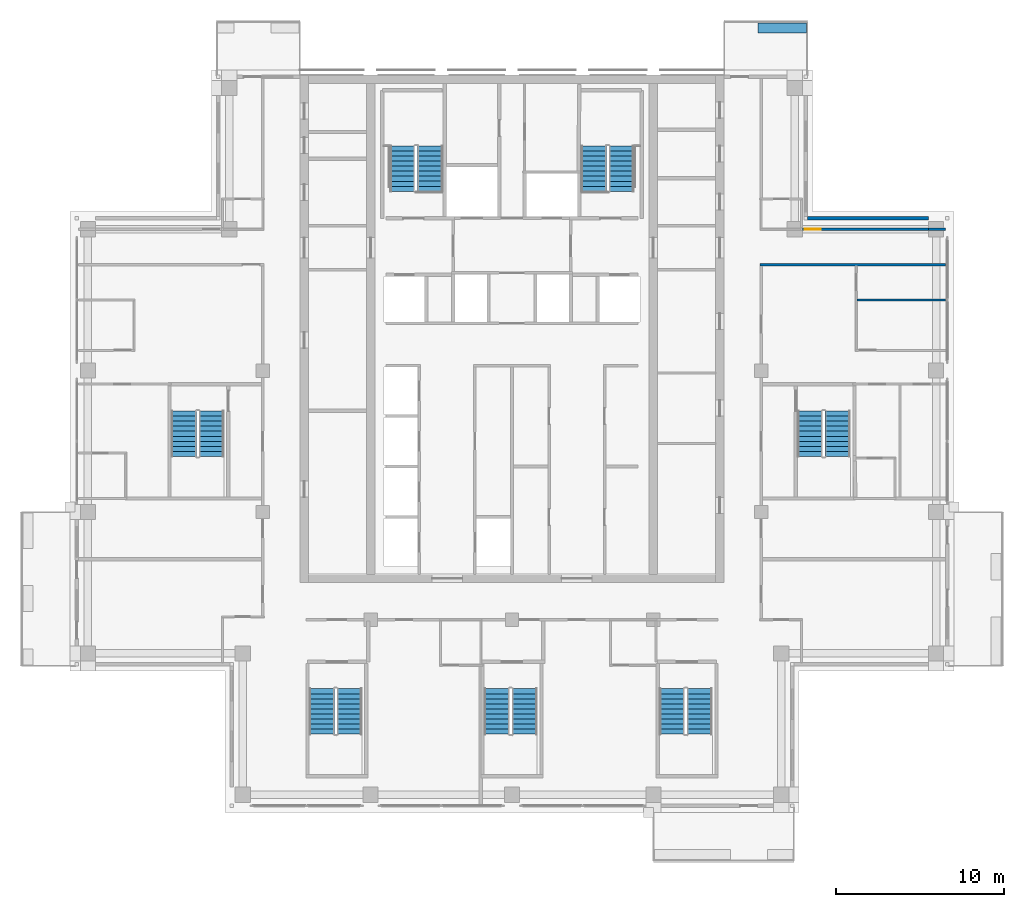
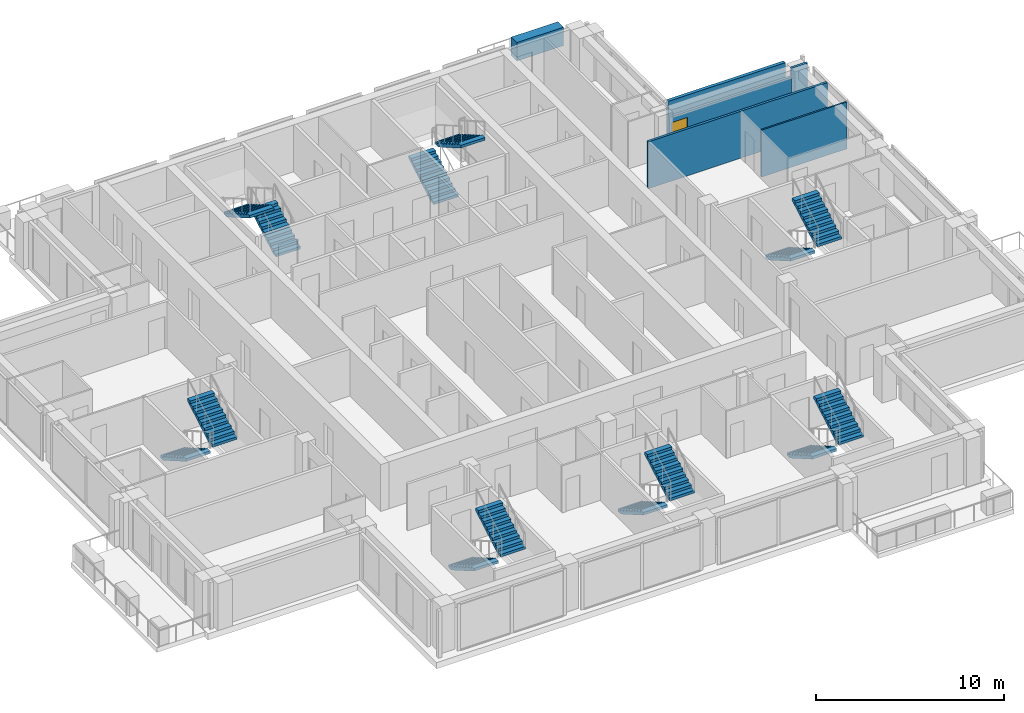
# One storey, part 15 of 18: 14 stair flights, 6 walls, 1 door, 1 opening, 7 elements without a shape of their own.
"""IFC4 building model written with IfcOpenShell, lengths in metres."""

from ifc_helpers import new_model, si_unit, direction, frame, frame_2d, origin, place, context, subcontext, project, spatial, polyline, rectangle, outline, extrude, material, layer, layer_set, type_object, element, fill, aggregate, save


model = new_model("IFC4")

# Units and contexts
model_context = context("Model", 3, precision=1e-05, world=origin(), true_north=direction((0.0, 1.0)))
body_context = subcontext(model_context, "Body", "Model", "MODEL_VIEW")
ifc_project = project(units=[si_unit("LENGTHUNIT", "METRE"), si_unit("AREAUNIT", "SQUARE_METRE"), si_unit("VOLUMEUNIT", "CUBIC_METRE"), si_unit("PLANEANGLEUNIT", "RADIAN"), si_unit("MASSUNIT", "GRAM", prefix="KILO")], contexts=[model_context])

# Site, building, storey
site_placement = place(None, origin())
site = spatial("IfcSite", under=ifc_project, at=site_placement, CompositionType="ELEMENT")
building_placement = place(site_placement, origin())
building = spatial("IfcBuilding", under=site, at=building_placement, Name="Vermilion Ogive Tower", CompositionType="ELEMENT")
storey_placement = place(building_placement, frame((0.0, 0.0, 230.35009765625)))
storey = spatial("IfcBuildingStorey", under=building, at=storey_placement, Name="L60", CompositionType="ELEMENT", Elevation=230.35009765625)

# Walls
ifc_material_1 = material(Name="Gypsum board partition on steel studs", Category="steel")
ifc_layer_1 = layer(ifc_material_1, 0.10009765625)
ifc_layer_set_1 = layer_set([ifc_layer_1], Name="Partition 100 inner")
wall_type_1 = type_object("IfcWallType", Name="Partition 100 inner", PredefinedType="PARTITIONING", material=ifc_layer_set_1)
wall_1_placement = place(storey_placement, frame((20.5, 8.39990234375, 0.0), z_axis=(0.0, 0.0, 1.0), x_axis=(1.0, 0.0, 0.0)))
element("IfcWall", 1, at=wall_1_placement, inside=storey, type_object=wall_type_1, Name="L60-W-W030", PredefinedType="PARTITIONING", context=body_context, shape_type="SweptSolid", body=[
    extrude(rectangle(XDim=5.25, YDim=0.10009765625, at=frame_2d((2.625, 0.0))), origin(), (0.0, 0.0, 1.0), 3.0498046875),
])
ifc_material_2 = material(Name="Gypsum board partition on steel studs", Category="steel")
ifc_layer_2 = layer(ifc_material_2, 0.14990234375)
ifc_layer_set_2 = layer_set([ifc_layer_2], Name="Partition 150 corridor")
wall_type_2 = type_object("IfcWallType", Name="Partition 150 corridor", PredefinedType="PARTITIONING", material=ifc_layer_set_2)
wall_2_placement = place(storey_placement, frame((14.72509765625, 10.5, 0.0), z_axis=(0.0, 0.0, 1.0), x_axis=(1.0, 0.0, 0.0)))
element("IfcWall", 2, at=wall_2_placement, inside=storey, type_object=wall_type_2, Name="L60-W-W032", PredefinedType="PARTITIONING", context=body_context, shape_type="SweptSolid", body=[
    extrude(rectangle(XDim=11.02490234375, YDim=0.14990234375, at=frame_2d((5.512451171875, 0.0))), origin(), (0.0, 0.0, 1.0), 3.0498046875),
])

# Wall, opening, door
wall_3_placement = place(storey_placement, frame((17.25, 12.60009765625, 0.0), z_axis=(0.0, 0.0, 1.0), x_axis=(1.0, 0.0, 0.0)))
wall_3 = element("IfcWall", 3, at=wall_3_placement, inside=storey, type_object=wall_type_2, Name="L60-W-W036-h1", PredefinedType="PARTITIONING", context=body_context, shape_type="SweptSolid", body=[
    extrude(rectangle(XDim=7.5, YDim=0.14990234375, at=frame_2d((3.75, 0.0))), origin(), (0.0, 0.0, 1.0), 2.5),
])
opening_placement = place(wall_3_placement, frame((0.14990234375, 0.0, 0.0)))
opening = element("IfcOpeningElement", 4, at=opening_placement, cuts=wall_3, Name="Opening D5G1021", PredefinedType="OPENING", context=body_context, shape_type="SweptSolid", body=[
    extrude(rectangle(XDim=0.949951171875, YDim=2.10009765625, at=frame_2d((0.47509765625, 1.050048828125))), frame((0.0, 0.0849609375, 0.0), z_axis=(0.0, -1.0, 0.0), x_axis=(1.0, 0.0, 0.0)), (0.0, 0.0, 1.0), 0.169921875),
])
ifc_material_3 = material(Name="Timber door leaf", Category="wood")
door_type = type_object("IfcDoorType", Name="Unit door 950 x 2100 FD30S", OperationType="SINGLE_SWING_LEFT", PredefinedType="DOOR", material=ifc_material_3)
door_placement = place(opening_placement, origin())
door = element("IfcDoor", 5, at=door_placement, inside=storey, type_object=door_type, Name="L60-D-D021", OperationType="SINGLE_SWING_LEFT", OverallHeight=2.10009765625, OverallWidth=0.949951171875, PredefinedType="DOOR", context=body_context, shape_type="SweptSolid", body=[
    extrude(rectangle(XDim=0.949951171875, YDim=2.10009765625, at=frame_2d((0.47509765625, 1.050048828125))), frame((0.0, 0.02490234375, 0.0), z_axis=(0.0, -1.0, 0.0), x_axis=(1.0, 0.0, 0.0)), (0.0, 0.0, 1.0), 0.050048828125),
])
fill(opening, door)

# Walls
wall_4_placement = place(storey_placement, frame((24.75, 12.60009765625, 0.0), z_axis=(0.0, 0.0, 1.0), x_axis=(1.0, 0.0, 0.0)))
element("IfcWall", 6, at=wall_4_placement, inside=storey, type_object=wall_type_2, Name="L60-W-W036-h2", PredefinedType="PARTITIONING", context=body_context, shape_type="SweptSolid", body=[
    extrude(rectangle(XDim=1.0, YDim=0.14990234375, at=frame_2d((0.5, 0.0))), origin(), (0.0, 0.0, 1.0), 3.0498046875),
])
ifc_material_4 = material(Name="Concrete B40", Category="concrete")
ifc_layer_3 = layer(ifc_material_4, 0.60009765625)
ifc_layer_set_3 = layer_set([ifc_layer_3], Name="Structural planter")
wall_type_3 = type_object("IfcWallType", Name="Structural planter", PredefinedType="USERDEFINED", material=ifc_layer_set_3)
wall_5_placement = place(storey_placement, frame((17.489990234375, 24.550048828125, -0.0400390625), z_axis=(0.0, 0.0, 1.0), x_axis=(-1.0, 0.0, 0.0)))
element("IfcWall", 7, at=wall_5_placement, inside=storey, type_object=wall_type_3, Name="Planter N101A1", ObjectType="PLANTER", PredefinedType="USERDEFINED", context=body_context, shape_type="SweptSolid", body=[
    extrude(rectangle(XDim=2.864990234375, YDim=0.60009765625, at=frame_2d((1.4326171875, 0.0))), origin(), (0.0, 0.0, 1.0), 1.199951171875),
])
ifc_material_5 = material(Name="Aluminium window wall framing", Category="aluminium")
ifc_layer_4 = layer(ifc_material_5, 0.199951171875)
ifc_layer_set_4 = layer_set([ifc_layer_4], Name="Window wall")
wall_type_4 = type_object("IfcWallType", Name="Window wall", PredefinedType="STANDARD", material=ifc_layer_set_4)
wall_6_placement = place(storey_placement, frame((24.75, 13.25, 0.0), z_axis=(0.0, 0.0, 1.0), x_axis=(-1.0, 0.0, 0.0)))
element("IfcWall", 8, at=wall_6_placement, inside=storey, type_object=wall_type_4, Name="Window wall X31", PredefinedType="STANDARD", context=body_context, shape_type="SweptSolid", body=[
    extrude(rectangle(XDim=7.199951171875, YDim=0.199951171875, at=frame_2d((3.60009765625, 0.0))), origin(), (0.0, 0.0, 1.0), 3.0498046875),
])

# Stair, stair flights
ifc_material_6 = material(Name="Concrete B40", Category="concrete")
stair_type = type_object("IfcStairType", Name="Exit stair 1500", PredefinedType="HALF_TURN_STAIR", material=ifc_material_6)
stair_1_placement = place(storey_placement, origin())
stair_1 = element("IfcStair", 9, at=stair_1_placement, inside=storey, type_object=stair_type, Name="L60 Exit Stair ST1", PredefinedType="HALF_TURN_STAIR")
ifc_material_7 = material(Name="Concrete B40", Category="concrete")
stair_flight_type = type_object("IfcStairFlightType", Name="Stair flight 1500", PredefinedType="STRAIGHT", material=ifc_material_7)
stair_flight_1_placement = place(storey_placement, frame((-4.85009765625, 14.85009765625, 0.0), z_axis=(0.0, 0.0, 1.0), x_axis=(0.0, 1.0, 0.0)))
stair_flight_1 = element("IfcStairFlight", 10, at=stair_flight_1_placement, type_object=stair_flight_type, Name="ST1 flight 1", NumberOfRisers=10, NumberOfTreads=9, PredefinedType="STRAIGHT", RiserHeight=0.1725, TreadLength=0.3, context=body_context, shape_type="SweptSolid", body=[
    extrude(outline(polyline([(0.0, 0.0), (0.0, 0.172607421875), (0.300048828125, 0.172607421875), (0.300048828125, 0.344970703125), (0.60009765625, 0.344970703125), (0.60009765625, 0.517578125), (0.89990234375, 0.517578125), (0.89990234375, 0.68994140625), (1.199951171875, 0.68994140625), (1.199951171875, 0.862548828125), (1.5, 0.862548828125), (1.5, 1.034912109375), (1.800048828125, 1.034912109375), (1.800048828125, 1.20751953125), (2.10009765625, 1.20751953125), (2.10009765625, 1.3798828125), (2.39990234375, 1.3798828125), (2.39990234375, 1.552490234375), (2.699951171875, 1.552490234375), (2.699951171875, 1.72509765625), (2.699951171875, 1.379638671875), (0.30078125, 0.0), (0.0, 0.0)])), frame((0.0, 0.75, 0.0), z_axis=(0.0, -1.0, 0.0), x_axis=(1.0, 0.0, 0.0)), (0.0, 0.0, 1.0), 1.5),
])
stair_flight_2_placement = place(storey_placement, frame((-6.5, 17.550048828125, 1.724853515625), z_axis=(0.0, 0.0, 1.0), x_axis=(0.0, -1.0, 0.0)))
stair_flight_2 = element("IfcStairFlight", 11, at=stair_flight_2_placement, type_object=stair_flight_type, Name="ST1 flight 2", NumberOfRisers=10, NumberOfTreads=9, PredefinedType="STRAIGHT", RiserHeight=0.1725, TreadLength=0.3, context=body_context, shape_type="SweptSolid", body=[
    extrude(outline(polyline([(0.0, 0.0), (0.0, 0.172607421875), (0.300048828125, 0.172607421875), (0.300048828125, 0.344970703125), (0.60009765625, 0.344970703125), (0.60009765625, 0.517578125), (0.89990234375, 0.517578125), (0.89990234375, 0.68994140625), (1.199951171875, 0.68994140625), (1.199951171875, 0.862548828125), (1.5, 0.862548828125), (1.5, 1.034912109375), (1.800048828125, 1.034912109375), (1.800048828125, 1.20751953125), (2.10009765625, 1.20751953125), (2.10009765625, 1.3798828125), (2.39990234375, 1.3798828125), (2.39990234375, 1.552490234375), (2.699951171875, 1.552490234375), (2.699951171875, 1.72509765625), (2.699951171875, 1.379638671875), (0.30078125, 0.0), (0.0, 0.0)])), frame((0.0, 0.75, 0.0), z_axis=(0.0, -1.0, 0.0), x_axis=(1.0, 0.0, 0.0)), (0.0, 0.0, 1.0), 1.5),
])
aggregate(stair_1, [stair_flight_1, stair_flight_2])

stair_2_placement = place(storey_placement, origin())
stair_2 = element("IfcStair", 12, at=stair_2_placement, inside=storey, type_object=stair_type, Name="L60 Exit Stair ST2", PredefinedType="HALF_TURN_STAIR")
stair_flight_3_placement = place(storey_placement, frame((4.85009765625, 14.85009765625, 0.0), z_axis=(0.0, 0.0, 1.0), x_axis=(0.0, 1.0, 0.0)))
stair_flight_3 = element("IfcStairFlight", 13, at=stair_flight_3_placement, type_object=stair_flight_type, Name="ST2 flight 1", NumberOfRisers=10, NumberOfTreads=9, PredefinedType="STRAIGHT", RiserHeight=0.1725, TreadLength=0.3, context=body_context, shape_type="SweptSolid", body=[
    extrude(outline(polyline([(0.0, 0.0), (0.0, 0.172607421875), (0.300048828125, 0.172607421875), (0.300048828125, 0.344970703125), (0.60009765625, 0.344970703125), (0.60009765625, 0.517578125), (0.89990234375, 0.517578125), (0.89990234375, 0.68994140625), (1.199951171875, 0.68994140625), (1.199951171875, 0.862548828125), (1.5, 0.862548828125), (1.5, 1.034912109375), (1.800048828125, 1.034912109375), (1.800048828125, 1.20751953125), (2.10009765625, 1.20751953125), (2.10009765625, 1.3798828125), (2.39990234375, 1.3798828125), (2.39990234375, 1.552490234375), (2.699951171875, 1.552490234375), (2.699951171875, 1.72509765625), (2.699951171875, 1.379638671875), (0.30078125, 0.0), (0.0, 0.0)])), frame((0.0, 0.75, 0.0), z_axis=(0.0, -1.0, 0.0), x_axis=(1.0, 0.0, 0.0)), (0.0, 0.0, 1.0), 1.5),
])
stair_flight_4_placement = place(storey_placement, frame((6.5, 17.550048828125, 1.724853515625), z_axis=(0.0, 0.0, 1.0), x_axis=(0.0, -1.0, 0.0)))
stair_flight_4 = element("IfcStairFlight", 14, at=stair_flight_4_placement, type_object=stair_flight_type, Name="ST2 flight 2", NumberOfRisers=10, NumberOfTreads=9, PredefinedType="STRAIGHT", RiserHeight=0.1725, TreadLength=0.3, context=body_context, shape_type="SweptSolid", body=[
    extrude(outline(polyline([(0.0, 0.0), (0.0, 0.172607421875), (0.300048828125, 0.172607421875), (0.300048828125, 0.344970703125), (0.60009765625, 0.344970703125), (0.60009765625, 0.517578125), (0.89990234375, 0.517578125), (0.89990234375, 0.68994140625), (1.199951171875, 0.68994140625), (1.199951171875, 0.862548828125), (1.5, 0.862548828125), (1.5, 1.034912109375), (1.800048828125, 1.034912109375), (1.800048828125, 1.20751953125), (2.10009765625, 1.20751953125), (2.10009765625, 1.3798828125), (2.39990234375, 1.3798828125), (2.39990234375, 1.552490234375), (2.699951171875, 1.552490234375), (2.699951171875, 1.72509765625), (2.699951171875, 1.379638671875), (0.30078125, 0.0), (0.0, 0.0)])), frame((0.0, 0.75, 0.0), z_axis=(0.0, -1.0, 0.0), x_axis=(1.0, 0.0, 0.0)), (0.0, 0.0, 1.0), 1.5),
])
aggregate(stair_2, [stair_flight_3, stair_flight_4])

stair_3_placement = place(storey_placement, origin())
stair_3 = element("IfcStair", 15, at=stair_3_placement, inside=storey, type_object=stair_type, Name="L60 Exit Stair ST3", PredefinedType="HALF_TURN_STAIR")
stair_flight_5_placement = place(storey_placement, frame((-11.300048828125, -14.699951171875, 0.0), z_axis=(0.0, 0.0, 1.0), x_axis=(0.0, -1.0, 0.0)))
stair_flight_5 = element("IfcStairFlight", 16, at=stair_flight_5_placement, type_object=stair_flight_type, Name="ST3 flight 1", NumberOfRisers=10, NumberOfTreads=9, PredefinedType="STRAIGHT", RiserHeight=0.1725, TreadLength=0.3, context=body_context, shape_type="SweptSolid", body=[
    extrude(outline(polyline([(0.0, 0.0), (0.0, 0.172607421875), (0.300048828125, 0.172607421875), (0.300048828125, 0.344970703125), (0.60009765625, 0.344970703125), (0.60009765625, 0.517578125), (0.89990234375, 0.517578125), (0.89990234375, 0.68994140625), (1.199951171875, 0.68994140625), (1.199951171875, 0.862548828125), (1.5, 0.862548828125), (1.5, 1.034912109375), (1.800048828125, 1.034912109375), (1.800048828125, 1.20751953125), (2.10009765625, 1.20751953125), (2.10009765625, 1.3798828125), (2.39990234375, 1.3798828125), (2.39990234375, 1.552490234375), (2.699951171875, 1.552490234375), (2.699951171875, 1.72509765625), (2.699951171875, 1.379638671875), (0.30078125, 0.0), (0.0, 0.0)])), frame((0.0, 0.75, 0.0), z_axis=(0.0, -1.0, 0.0), x_axis=(1.0, 0.0, 0.0)), (0.0, 0.0, 1.0), 1.5),
])
stair_flight_6_placement = place(storey_placement, frame((-9.64990234375, -17.39990234375, 1.724853515625), z_axis=(0.0, 0.0, 1.0), x_axis=(0.0, 1.0, 0.0)))
stair_flight_6 = element("IfcStairFlight", 17, at=stair_flight_6_placement, type_object=stair_flight_type, Name="ST3 flight 2", NumberOfRisers=10, NumberOfTreads=9, PredefinedType="STRAIGHT", RiserHeight=0.1725, TreadLength=0.3, context=body_context, shape_type="SweptSolid", body=[
    extrude(outline(polyline([(0.0, 0.0), (0.0, 0.172607421875), (0.300048828125, 0.172607421875), (0.300048828125, 0.344970703125), (0.60009765625, 0.344970703125), (0.60009765625, 0.517578125), (0.89990234375, 0.517578125), (0.89990234375, 0.68994140625), (1.199951171875, 0.68994140625), (1.199951171875, 0.862548828125), (1.5, 0.862548828125), (1.5, 1.034912109375), (1.800048828125, 1.034912109375), (1.800048828125, 1.20751953125), (2.10009765625, 1.20751953125), (2.10009765625, 1.3798828125), (2.39990234375, 1.3798828125), (2.39990234375, 1.552490234375), (2.699951171875, 1.552490234375), (2.699951171875, 1.72509765625), (2.699951171875, 1.379638671875), (0.30078125, 0.0), (0.0, 0.0)])), frame((0.0, 0.75, 0.0), z_axis=(0.0, -1.0, 0.0), x_axis=(1.0, 0.0, 0.0)), (0.0, 0.0, 1.0), 1.5),
])
aggregate(stair_3, [stair_flight_5, stair_flight_6])

stair_4_placement = place(storey_placement, origin())
stair_4 = element("IfcStair", 18, at=stair_4_placement, inside=storey, type_object=stair_type, Name="L60 Exit Stair ST4", PredefinedType="HALF_TURN_STAIR")
stair_flight_7_placement = place(storey_placement, frame((-0.89990234375, -14.699951171875, 0.0), z_axis=(0.0, 0.0, 1.0), x_axis=(0.0, -1.0, 0.0)))
stair_flight_7 = element("IfcStairFlight", 19, at=stair_flight_7_placement, type_object=stair_flight_type, Name="ST4 flight 1", NumberOfRisers=10, NumberOfTreads=9, PredefinedType="STRAIGHT", RiserHeight=0.1725, TreadLength=0.3, context=body_context, shape_type="SweptSolid", body=[
    extrude(outline(polyline([(0.0, 0.0), (0.0, 0.172607421875), (0.300048828125, 0.172607421875), (0.300048828125, 0.344970703125), (0.60009765625, 0.344970703125), (0.60009765625, 0.517578125), (0.89990234375, 0.517578125), (0.89990234375, 0.68994140625), (1.199951171875, 0.68994140625), (1.199951171875, 0.862548828125), (1.5, 0.862548828125), (1.5, 1.034912109375), (1.800048828125, 1.034912109375), (1.800048828125, 1.20751953125), (2.10009765625, 1.20751953125), (2.10009765625, 1.3798828125), (2.39990234375, 1.3798828125), (2.39990234375, 1.552490234375), (2.699951171875, 1.552490234375), (2.699951171875, 1.72509765625), (2.699951171875, 1.379638671875), (0.30078125, 0.0), (0.0, 0.0)])), frame((0.0, 0.75, 0.0), z_axis=(0.0, -1.0, 0.0), x_axis=(1.0, 0.0, 0.0)), (0.0, 0.0, 1.0), 1.5),
])
stair_flight_8_placement = place(storey_placement, frame((0.75, -17.39990234375, 1.724853515625), z_axis=(0.0, 0.0, 1.0), x_axis=(0.0, 1.0, 0.0)))
stair_flight_8 = element("IfcStairFlight", 20, at=stair_flight_8_placement, type_object=stair_flight_type, Name="ST4 flight 2", NumberOfRisers=10, NumberOfTreads=9, PredefinedType="STRAIGHT", RiserHeight=0.1725, TreadLength=0.3, context=body_context, shape_type="SweptSolid", body=[
    extrude(outline(polyline([(0.0, 0.0), (0.0, 0.172607421875), (0.300048828125, 0.172607421875), (0.300048828125, 0.344970703125), (0.60009765625, 0.344970703125), (0.60009765625, 0.517578125), (0.89990234375, 0.517578125), (0.89990234375, 0.68994140625), (1.199951171875, 0.68994140625), (1.199951171875, 0.862548828125), (1.5, 0.862548828125), (1.5, 1.034912109375), (1.800048828125, 1.034912109375), (1.800048828125, 1.20751953125), (2.10009765625, 1.20751953125), (2.10009765625, 1.3798828125), (2.39990234375, 1.3798828125), (2.39990234375, 1.552490234375), (2.699951171875, 1.552490234375), (2.699951171875, 1.72509765625), (2.699951171875, 1.379638671875), (0.30078125, 0.0), (0.0, 0.0)])), frame((0.0, 0.75, 0.0), z_axis=(0.0, -1.0, 0.0), x_axis=(1.0, 0.0, 0.0)), (0.0, 0.0, 1.0), 1.5),
])
aggregate(stair_4, [stair_flight_7, stair_flight_8])

stair_5_placement = place(storey_placement, origin())
stair_5 = element("IfcStair", 21, at=stair_5_placement, inside=storey, type_object=stair_type, Name="L60 Exit Stair ST5", PredefinedType="HALF_TURN_STAIR")
stair_flight_9_placement = place(storey_placement, frame((9.5, -14.699951171875, 0.0), z_axis=(0.0, 0.0, 1.0), x_axis=(0.0, -1.0, 0.0)))
stair_flight_9 = element("IfcStairFlight", 22, at=stair_flight_9_placement, type_object=stair_flight_type, Name="ST5 flight 1", NumberOfRisers=10, NumberOfTreads=9, PredefinedType="STRAIGHT", RiserHeight=0.1725, TreadLength=0.3, context=body_context, shape_type="SweptSolid", body=[
    extrude(outline(polyline([(0.0, 0.0), (0.0, 0.172607421875), (0.300048828125, 0.172607421875), (0.300048828125, 0.344970703125), (0.60009765625, 0.344970703125), (0.60009765625, 0.517578125), (0.89990234375, 0.517578125), (0.89990234375, 0.68994140625), (1.199951171875, 0.68994140625), (1.199951171875, 0.862548828125), (1.5, 0.862548828125), (1.5, 1.034912109375), (1.800048828125, 1.034912109375), (1.800048828125, 1.20751953125), (2.10009765625, 1.20751953125), (2.10009765625, 1.3798828125), (2.39990234375, 1.3798828125), (2.39990234375, 1.552490234375), (2.699951171875, 1.552490234375), (2.699951171875, 1.72509765625), (2.699951171875, 1.379638671875), (0.30078125, 0.0), (0.0, 0.0)])), frame((0.0, 0.75, 0.0), z_axis=(0.0, -1.0, 0.0), x_axis=(1.0, 0.0, 0.0)), (0.0, 0.0, 1.0), 1.5),
])
stair_flight_10_placement = place(storey_placement, frame((11.14990234375, -17.39990234375, 1.724853515625), z_axis=(0.0, 0.0, 1.0), x_axis=(0.0, 1.0, 0.0)))
stair_flight_10 = element("IfcStairFlight", 23, at=stair_flight_10_placement, type_object=stair_flight_type, Name="ST5 flight 2", NumberOfRisers=10, NumberOfTreads=9, PredefinedType="STRAIGHT", RiserHeight=0.1725, TreadLength=0.3, context=body_context, shape_type="SweptSolid", body=[
    extrude(outline(polyline([(0.0, 0.0), (0.0, 0.172607421875), (0.300048828125, 0.172607421875), (0.300048828125, 0.344970703125), (0.60009765625, 0.344970703125), (0.60009765625, 0.517578125), (0.89990234375, 0.517578125), (0.89990234375, 0.68994140625), (1.199951171875, 0.68994140625), (1.199951171875, 0.862548828125), (1.5, 0.862548828125), (1.5, 1.034912109375), (1.800048828125, 1.034912109375), (1.800048828125, 1.20751953125), (2.10009765625, 1.20751953125), (2.10009765625, 1.3798828125), (2.39990234375, 1.3798828125), (2.39990234375, 1.552490234375), (2.699951171875, 1.552490234375), (2.699951171875, 1.72509765625), (2.699951171875, 1.379638671875), (0.30078125, 0.0), (0.0, 0.0)])), frame((0.0, 0.75, 0.0), z_axis=(0.0, -1.0, 0.0), x_axis=(1.0, 0.0, 0.0)), (0.0, 0.0, 1.0), 1.5),
])
aggregate(stair_5, [stair_flight_9, stair_flight_10])

stair_6_placement = place(storey_placement, origin())
stair_6 = element("IfcStair", 24, at=stair_6_placement, inside=storey, type_object=stair_type, Name="L60 Exit Stair ST8", PredefinedType="HALF_TURN_STAIR")
stair_flight_11_placement = place(storey_placement, frame((17.699951171875, 1.800048828125, 0.0), z_axis=(0.0, 0.0, 1.0), x_axis=(0.0, -1.0, 0.0)))
stair_flight_11 = element("IfcStairFlight", 25, at=stair_flight_11_placement, type_object=stair_flight_type, Name="ST8 flight 1", NumberOfRisers=10, NumberOfTreads=9, PredefinedType="STRAIGHT", RiserHeight=0.1725, TreadLength=0.3, context=body_context, shape_type="SweptSolid", body=[
    extrude(outline(polyline([(0.0, 0.0), (0.0, 0.172607421875), (0.300048828125, 0.172607421875), (0.300048828125, 0.344970703125), (0.60009765625, 0.344970703125), (0.60009765625, 0.517578125), (0.89990234375, 0.517578125), (0.89990234375, 0.68994140625), (1.199951171875, 0.68994140625), (1.199951171875, 0.862548828125), (1.5, 0.862548828125), (1.5, 1.034912109375), (1.800048828125, 1.034912109375), (1.800048828125, 1.20751953125), (2.10009765625, 1.20751953125), (2.10009765625, 1.3798828125), (2.39990234375, 1.3798828125), (2.39990234375, 1.552490234375), (2.699951171875, 1.552490234375), (2.699951171875, 1.72509765625), (2.699951171875, 1.379638671875), (0.30078125, 0.0), (0.0, 0.0)])), frame((0.0, 0.75, 0.0), z_axis=(0.0, -1.0, 0.0), x_axis=(1.0, 0.0, 0.0)), (0.0, 0.0, 1.0), 1.5),
])
stair_flight_12_placement = place(storey_placement, frame((19.35009765625, -0.89990234375, 1.724853515625), z_axis=(0.0, 0.0, 1.0), x_axis=(0.0, 1.0, 0.0)))
stair_flight_12 = element("IfcStairFlight", 26, at=stair_flight_12_placement, type_object=stair_flight_type, Name="ST8 flight 2", NumberOfRisers=10, NumberOfTreads=9, PredefinedType="STRAIGHT", RiserHeight=0.1725, TreadLength=0.3, context=body_context, shape_type="SweptSolid", body=[
    extrude(outline(polyline([(0.0, 0.0), (0.0, 0.172607421875), (0.300048828125, 0.172607421875), (0.300048828125, 0.344970703125), (0.60009765625, 0.344970703125), (0.60009765625, 0.517578125), (0.89990234375, 0.517578125), (0.89990234375, 0.68994140625), (1.199951171875, 0.68994140625), (1.199951171875, 0.862548828125), (1.5, 0.862548828125), (1.5, 1.034912109375), (1.800048828125, 1.034912109375), (1.800048828125, 1.20751953125), (2.10009765625, 1.20751953125), (2.10009765625, 1.3798828125), (2.39990234375, 1.3798828125), (2.39990234375, 1.552490234375), (2.699951171875, 1.552490234375), (2.699951171875, 1.72509765625), (2.699951171875, 1.379638671875), (0.30078125, 0.0), (0.0, 0.0)])), frame((0.0, 0.75, 0.0), z_axis=(0.0, -1.0, 0.0), x_axis=(1.0, 0.0, 0.0)), (0.0, 0.0, 1.0), 1.5),
])
aggregate(stair_6, [stair_flight_11, stair_flight_12])

stair_7_placement = place(storey_placement, origin())
stair_7 = element("IfcStair", 27, at=stair_7_placement, inside=storey, type_object=stair_type, Name="L60 Exit Stair ST9", PredefinedType="HALF_TURN_STAIR")
stair_flight_13_placement = place(storey_placement, frame((-19.5, 1.800048828125, 0.0), z_axis=(0.0, 0.0, 1.0), x_axis=(0.0, -1.0, 0.0)))
stair_flight_13 = element("IfcStairFlight", 28, at=stair_flight_13_placement, type_object=stair_flight_type, Name="ST9 flight 1", NumberOfRisers=10, NumberOfTreads=9, PredefinedType="STRAIGHT", RiserHeight=0.1725, TreadLength=0.3, context=body_context, shape_type="SweptSolid", body=[
    extrude(outline(polyline([(0.0, 0.0), (0.0, 0.172607421875), (0.300048828125, 0.172607421875), (0.300048828125, 0.344970703125), (0.60009765625, 0.344970703125), (0.60009765625, 0.517578125), (0.89990234375, 0.517578125), (0.89990234375, 0.68994140625), (1.199951171875, 0.68994140625), (1.199951171875, 0.862548828125), (1.5, 0.862548828125), (1.5, 1.034912109375), (1.800048828125, 1.034912109375), (1.800048828125, 1.20751953125), (2.10009765625, 1.20751953125), (2.10009765625, 1.3798828125), (2.39990234375, 1.3798828125), (2.39990234375, 1.552490234375), (2.699951171875, 1.552490234375), (2.699951171875, 1.72509765625), (2.699951171875, 1.379638671875), (0.30078125, 0.0), (0.0, 0.0)])), frame((0.0, 0.75, 0.0), z_axis=(0.0, -1.0, 0.0), x_axis=(1.0, 0.0, 0.0)), (0.0, 0.0, 1.0), 1.5),
])
stair_flight_14_placement = place(storey_placement, frame((-17.85009765625, -0.89990234375, 1.724853515625), z_axis=(0.0, 0.0, 1.0), x_axis=(0.0, 1.0, 0.0)))
stair_flight_14 = element("IfcStairFlight", 29, at=stair_flight_14_placement, type_object=stair_flight_type, Name="ST9 flight 2", NumberOfRisers=10, NumberOfTreads=9, PredefinedType="STRAIGHT", RiserHeight=0.1725, TreadLength=0.3, context=body_context, shape_type="SweptSolid", body=[
    extrude(outline(polyline([(0.0, 0.0), (0.0, 0.172607421875), (0.300048828125, 0.172607421875), (0.300048828125, 0.344970703125), (0.60009765625, 0.344970703125), (0.60009765625, 0.517578125), (0.89990234375, 0.517578125), (0.89990234375, 0.68994140625), (1.199951171875, 0.68994140625), (1.199951171875, 0.862548828125), (1.5, 0.862548828125), (1.5, 1.034912109375), (1.800048828125, 1.034912109375), (1.800048828125, 1.20751953125), (2.10009765625, 1.20751953125), (2.10009765625, 1.3798828125), (2.39990234375, 1.3798828125), (2.39990234375, 1.552490234375), (2.699951171875, 1.552490234375), (2.699951171875, 1.72509765625), (2.699951171875, 1.379638671875), (0.30078125, 0.0), (0.0, 0.0)])), frame((0.0, 0.75, 0.0), z_axis=(0.0, -1.0, 0.0), x_axis=(1.0, 0.0, 0.0)), (0.0, 0.0, 1.0), 1.5),
])
aggregate(stair_7, [stair_flight_13, stair_flight_14])

save(model, "model.ifc")
